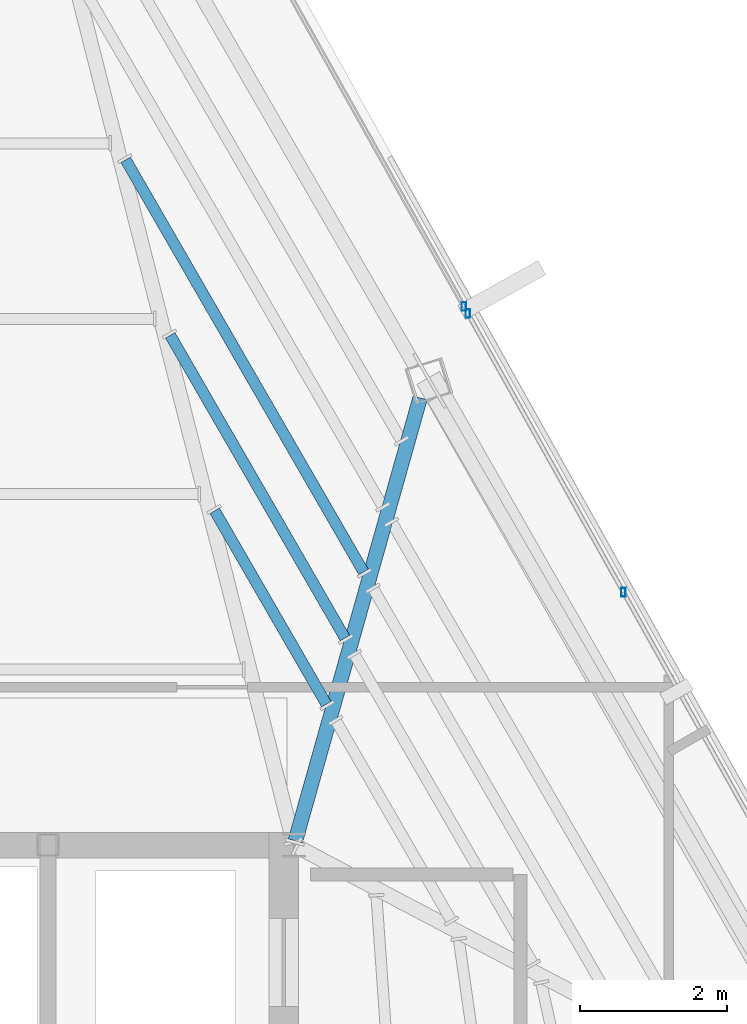
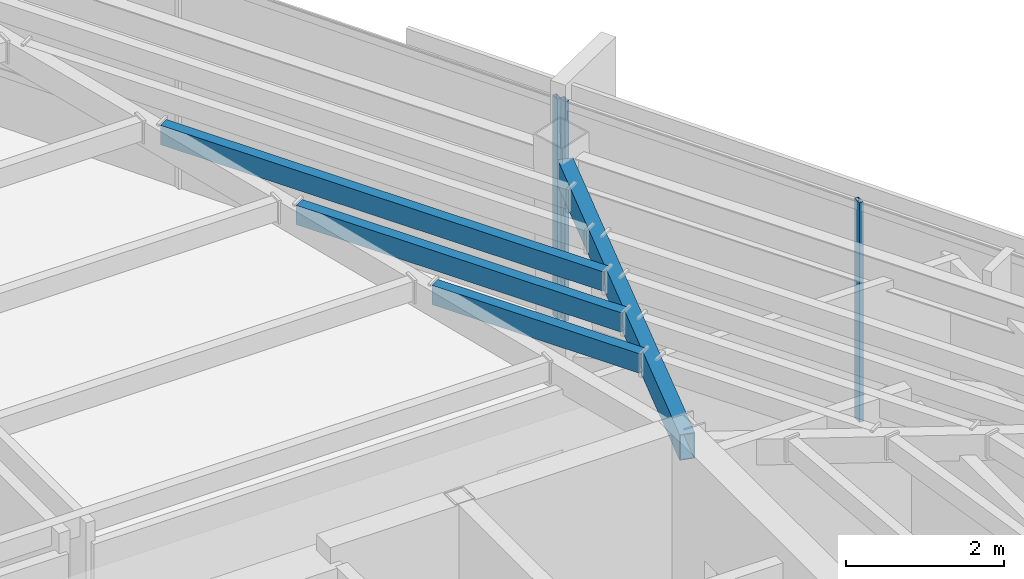
# One storey, part 31 of 48: 4 beams, 3 members, 2 elements without a shape of their own.
"""IFC4 building model written with IfcOpenShell, lengths in metres."""

from ifc_helpers import new_model, si_unit, direction, frame, origin, origin_2d, place, context, subcontext, project, spatial, hollow_rectangle, extrude, source, transform, mapped, material, material_profile, profile_set, type_object, type_shapes, element, aggregate, save


model = new_model("IFC4")

# Units and contexts
model_context = context("Model", 3, precision=1e-05, world=origin(), true_north=direction((0.0, 1.0)))
body_context = subcontext(model_context, "Body", "Model", "MODEL_VIEW")
ifc_project = project(units=[si_unit("LENGTHUNIT", "METRE"), si_unit("AREAUNIT", "SQUARE_METRE"), si_unit("VOLUMEUNIT", "CUBIC_METRE"), si_unit("PLANEANGLEUNIT", "RADIAN"), si_unit("MASSUNIT", "GRAM", prefix="KILO")], contexts=[model_context])

# Site, building, storey
site_placement = place(None, origin())
site = spatial("IfcSite", under=ifc_project, at=site_placement, CompositionType="ELEMENT")
building_placement = place(site_placement, origin())
building = spatial("IfcBuilding", under=site, at=building_placement, Name="Caelisora Broadcast Tower", CompositionType="ELEMENT")
storey_placement = place(building_placement, frame((0.0, 0.0, 277.300048828125)))
storey = spatial("IfcBuildingStorey", under=building, at=storey_placement, Name="L73", CompositionType="ELEMENT", Elevation=277.300048828125)

# Beams
ifc_material_1 = material(Name="Steel Grade 350 (AS/NZS 1163 C350L0)", Category="steel")
ifc_material_profile_1 = material_profile(ifc_material_1, hollow_rectangle(XDim=0.199951171875, YDim=0.39990234375, WallThickness=0.012451171875, at=origin_2d()), Name="Steel Grade 350 (AS/NZS 1163 C350L0)")
ifc_profile_set_1 = profile_set([ifc_material_profile_1], Name="Steel Grade 350 (AS/NZS 1163 C350L0)")
beam_type_1 = type_object("IfcBeamType", Name="PG07", PredefinedType="BEAM", material=ifc_profile_set_1)
shared_shape_1 = source(origin(), body_context, "Body", "SweptSolid", [
    extrude(hollow_rectangle(XDim=0.199951171875, YDim=0.39990234375, WallThickness=0.012451171875, at=origin_2d()), origin(), (0.0, 0.0, 1.0), 6.264892578125),
])
type_shapes(beam_type_1, [shared_shape_1])
beam_1_placement = place(storey_placement, frame((45.516357421875, 30.057861328125, 3.199951171875), z_axis=(0.27111120115, 0.962548033405, 0.0), x_axis=(-0.962548033405, 0.27111120115, 0.0)))
element("IfcBeam", 1, at=beam_1_placement, inside=storey, type_object=beam_type_1, Name="L73 beam PG07", PredefinedType="BEAM", context=body_context, shape_type="MappedRepresentation", body=[
    mapped(shared_shape_1, transform((0.0, 0.0, 0.0), scale=1.0)),
])
ifc_material_profile_2 = material_profile(ifc_material_1, hollow_rectangle(XDim=0.14990234375, YDim=0.300048828125, WallThickness=0.010009765625, at=origin_2d()), Name="Steel Grade 350 (AS/NZS 1163 C350L0)")
ifc_profile_set_2 = profile_set([ifc_material_profile_2], Name="Steel Grade 350 (AS/NZS 1163 C350L0)")
beam_type_2 = type_object("IfcBeamType", Name="SB05", PredefinedType="JOIST", material=ifc_profile_set_2)
shared_shape_2 = source(origin(), body_context, "Body", "SweptSolid", [
    extrude(hollow_rectangle(XDim=0.14990234375, YDim=0.300048828125, WallThickness=0.010009765625, at=origin_2d()), origin(), (0.0, 0.0, 1.0), 3.0400390625),
])
beam_2_placement = place(storey_placement, frame((45.938720703125, 31.91845703125, 3.25), z_axis=(-0.499991248344, 0.866030456496, 0.0), x_axis=(-0.866030456496, -0.499991248344, 0.0)))
element("IfcBeam", 2, at=beam_2_placement, inside=storey, type_object=beam_type_2, Name="L73 beam SB05", PredefinedType="JOIST", context=body_context, shape_type="MappedRepresentation", body=[
    mapped(shared_shape_2, transform((0.0, 0.0, 0.0), scale=1.0)),
])
shared_shape_3 = source(origin(), body_context, "Body", "SweptSolid", [
    extrude(hollow_rectangle(XDim=0.14990234375, YDim=0.300048828125, WallThickness=0.010009765625, at=origin_2d()), origin(), (0.0, 0.0, 1.0), 4.7587890625),
])
beam_3_placement = place(storey_placement, frame((46.192138671875, 32.818359375, 3.25), z_axis=(-0.500012599898, 0.866018129108, 0.0), x_axis=(-0.866018129108, -0.500012599898, 0.0)))
element("IfcBeam", 3, at=beam_3_placement, inside=storey, type_object=beam_type_2, Name="L73 beam SB05", PredefinedType="JOIST", context=body_context, shape_type="MappedRepresentation", body=[
    mapped(shared_shape_3, transform((0.0, 0.0, 0.0), scale=1.0)),
])
shared_shape_4 = source(origin(), body_context, "Body", "SweptSolid", [
    extrude(hollow_rectangle(XDim=0.14990234375, YDim=0.300048828125, WallThickness=0.010009765625, at=origin_2d()), origin(), (0.0, 0.0, 1.0), 6.47705078125),
])
type_shapes(beam_type_2, [shared_shape_2, shared_shape_3, shared_shape_4])
beam_4_placement = place(storey_placement, frame((46.445556640625, 33.71826171875, 3.25), z_axis=(-0.499994352157, 0.866028664543, 0.0), x_axis=(-0.866028664543, -0.499994352157, 0.0)))
element("IfcBeam", 4, at=beam_4_placement, inside=storey, type_object=beam_type_2, Name="L73 beam SB05", PredefinedType="JOIST", context=body_context, shape_type="MappedRepresentation", body=[
    mapped(shared_shape_4, transform((0.0, 0.0, 0.0), scale=1.0)),
])

# Curtain wall, member
ifc_material_2 = material(Name="Unitised Aluminium and Low-E Glass Curtain Wall", Category="glass")
curtain_wall_type_1 = type_object("IfcCurtainWallType", Name="CW-Z5", PredefinedType="NOTDEFINED", material=ifc_material_2)
curtain_wall_1_placement = place(storey_placement, origin())
curtain_wall_1 = element("IfcCurtainWall", 5, at=curtain_wall_1_placement, inside=storey, type_object=curtain_wall_type_1, Name="L73 curtain wall CW-Z5", PredefinedType="NOTDEFINED")
ifc_material_3 = material(Name="Aluminium 6063-T6 Anodised Terracotta Bronze", Category="aluminium")
ifc_material_profile_3 = material_profile(ifc_material_3, hollow_rectangle(XDim=0.06005859375, YDim=0.1201171875, WallThickness=0.0029296875, at=origin_2d()), Name="Aluminium 6063-T6 Anodised Terracotta Bronze")
ifc_profile_set_3 = profile_set([ifc_material_profile_3], Name="Aluminium 6063-T6 Anodised Terracotta Bronze")
member_type = type_object("IfcMemberType", Name="CWM-04", PredefinedType="MULLION", material=ifc_profile_set_3)
shared_shape_5 = source(origin(), body_context, "Body", "SweptSolid", [
    extrude(hollow_rectangle(XDim=0.06005859375, YDim=0.1201171875, WallThickness=0.0029296875, at=origin_2d()), origin(), (0.0, 0.0, 1.0), 3.39990234375),
])
type_shapes(member_type, [shared_shape_5])
member_1_placement = place(storey_placement, frame((47.810302734375, 37.331787109375, 0.0), z_axis=(0.0, 0.0, 1.0), x_axis=(1.0, 0.0, 0.0)))
member_1 = element("IfcMember", 6, at=member_1_placement, type_object=member_type, Name="L73-CW-B01 mullion #3", PredefinedType="MULLION", context=body_context, shape_type="MappedRepresentation", body=[
    mapped(shared_shape_5, transform((0.0, 0.0, 0.0), scale=1.0)),
])
aggregate(curtain_wall_1, [member_1])

# Curtain wall, members
ifc_material_4 = material(Name="Unitised Aluminium Insulated Shadow-Box Spandrel Curtain Wall", Category="aluminium")
curtain_wall_type_2 = type_object("IfcCurtainWallType", Name="CW-SP3", PredefinedType="NOTDEFINED", material=ifc_material_4)
curtain_wall_2_placement = place(storey_placement, origin())
curtain_wall_2 = element("IfcCurtainWall", 7, at=curtain_wall_2_placement, inside=storey, type_object=curtain_wall_type_2, Name="L73 curtain wall CW-SP3", PredefinedType="NOTDEFINED")
member_2_placement = place(storey_placement, frame((47.864013671875, 37.23583984375, 0.0), z_axis=(0.0, 0.0, 1.0), x_axis=(1.0, 0.0, 0.0)))
member_2 = element("IfcMember", 8, at=member_2_placement, type_object=member_type, Name="L73-CW-B02 mullion #0", PredefinedType="MULLION", context=body_context, shape_type="MappedRepresentation", body=[
    mapped(shared_shape_5, transform((0.0, 0.0, 0.0), scale=1.0)),
])
member_3_placement = place(storey_placement, frame((49.98291015625, 33.4423828125, 0.0), z_axis=(0.0, 0.0, 1.0), x_axis=(1.0, 0.0, 0.0)))
member_3 = element("IfcMember", 9, at=member_3_placement, type_object=member_type, Name="L73-CW-B02 mullion #1", PredefinedType="MULLION", context=body_context, shape_type="MappedRepresentation", body=[
    mapped(shared_shape_5, transform((0.0, 0.0, 0.0), scale=1.0)),
])
aggregate(curtain_wall_2, [member_2, member_3])

save(model, "model.ifc")
